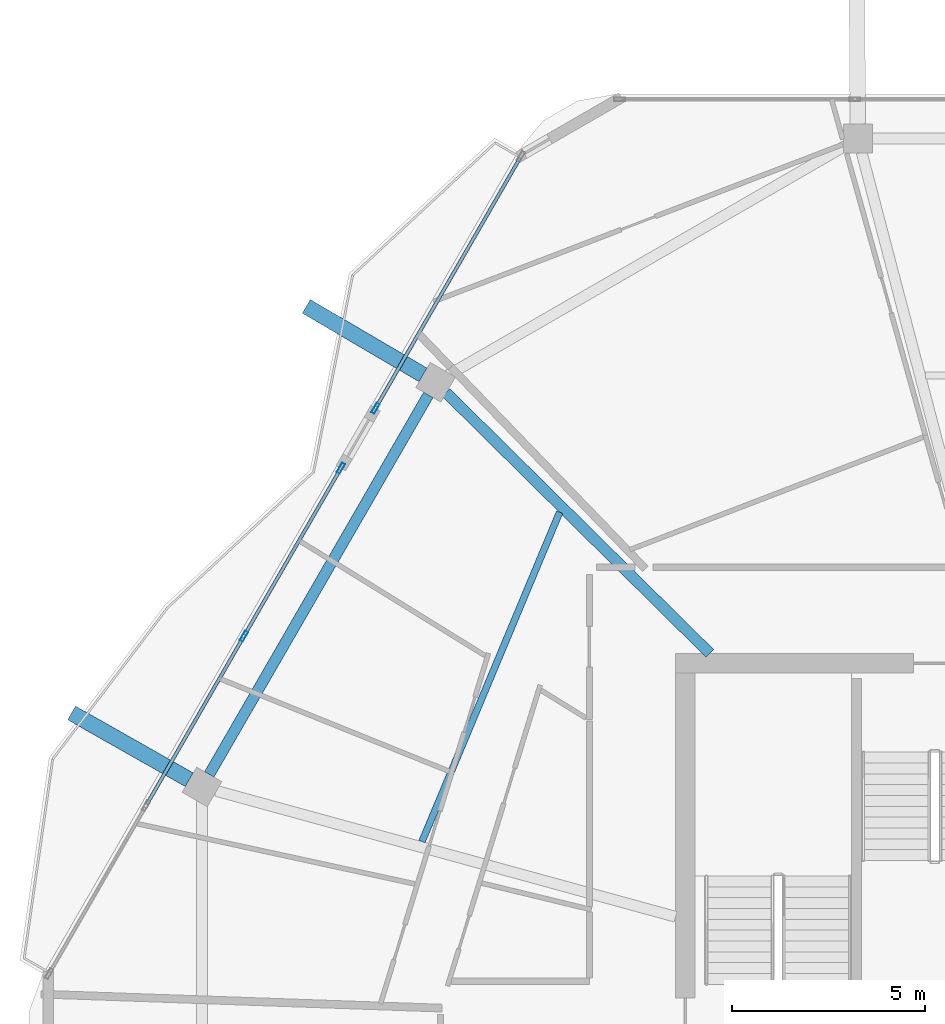
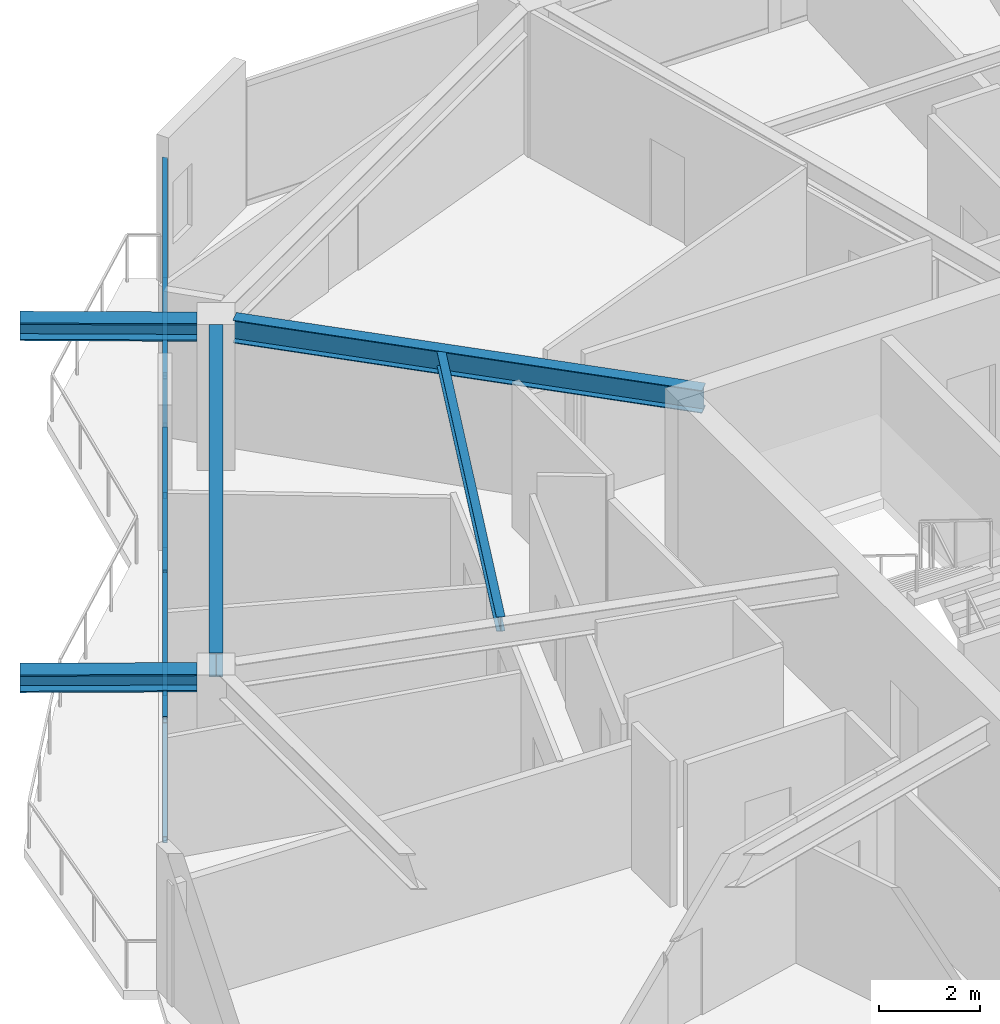
# One storey, part 8 of 23: 9 members, 5 beams, 2 elements without a shape of their own.
"""IFC4 building model written with IfcOpenShell, lengths in metres."""

from ifc_helpers import new_model, si_unit, direction, frame, origin, origin_2d, place, context, subcontext, project, spatial, hollow_rectangle, i_section, extrude, material, material_profile, profile_set, type_object, element, aggregate, save


model = new_model("IFC4")

# Units and contexts
model_context = context("Model", 3, precision=1e-05, world=origin(), true_north=direction((0.0, 1.0)))
body_context = subcontext(model_context, "Body", "Model", "MODEL_VIEW")
ifc_project = project(units=[si_unit("LENGTHUNIT", "METRE"), si_unit("AREAUNIT", "SQUARE_METRE"), si_unit("VOLUMEUNIT", "CUBIC_METRE"), si_unit("PLANEANGLEUNIT", "RADIAN"), si_unit("MASSUNIT", "GRAM", prefix="KILO")], contexts=[model_context])

# Site, building, storey
site_placement = place(None, origin())
site = spatial("IfcSite", under=ifc_project, at=site_placement, CompositionType="ELEMENT")
building_placement = place(site_placement, origin())
building = spatial("IfcBuilding", under=site, at=building_placement, Name="Zuhravey Tower", CompositionType="ELEMENT")
storey_placement = place(building_placement, frame((0.0, 0.0, 350.0)))
storey = spatial("IfcBuildingStorey", under=building, at=storey_placement, Name="L89", CompositionType="ELEMENT", Elevation=350.0)

# Curtain wall, members
ifc_material_1 = material(Name="Thermally broken anodised aluminium", Category="aluminium")
curtain_wall_type = type_object("IfcCurtainWallType", Name="Zone 3-4 High-Rise Curtain Wall CW4", PredefinedType="NOTDEFINED", material=ifc_material_1)
curtain_wall_1_placement = place(storey_placement, origin())
curtain_wall_1 = element("IfcCurtainWall", 1, at=curtain_wall_1_placement, inside=storey, type_object=curtain_wall_type, Name="L89 CW4 CW-L89-F3-1", PredefinedType="NOTDEFINED")
ifc_material_2 = material(Name="Anodised aluminium", Category="aluminium")
ifc_material_profile_1 = material_profile(ifc_material_2, hollow_rectangle(XDim=0.090087890625, YDim=0.284912109375, WallThickness=0.0048828125, at=origin_2d()), Name="ALU-RHS-90x285x5")
ifc_profile_set_1 = profile_set([ifc_material_profile_1], Name="Anodised aluminium")
member_type_1 = type_object("IfcMemberType", Name="Curtain-Wall Mullion 90x180", PredefinedType="MULLION", material=ifc_profile_set_1)
member_1_placement = place(storey_placement, frame((14.090576171875, 42.2001953125, 0.0), z_axis=(0.0, 0.0, 1.0), x_axis=(-0.866026379614, 0.49999830981, 0.0)))
member_1 = element("IfcMember", 2, at=member_1_placement, type_object=member_type_1, Name="CW4 mullion 3", PredefinedType="MULLION", context=body_context, shape_type="SweptSolid", body=[
    extrude(hollow_rectangle(XDim=0.090087890625, YDim=0.284912109375, WallThickness=0.0048828125, at=origin_2d()), origin(), (0.0, 0.0, 1.0), 2.987060546875),
])
member_2_placement = place(storey_placement, frame((16.59765625, 46.54248046875, 0.0), z_axis=(0.0, 0.0, 1.0), x_axis=(-0.866026379614, 0.49999830981, 0.0)))
member_2 = element("IfcMember", 3, at=member_2_placement, type_object=member_type_1, Name="CW4 mullion 4", PredefinedType="MULLION", context=body_context, shape_type="SweptSolid", body=[
    extrude(hollow_rectangle(XDim=0.090087890625, YDim=0.284912109375, WallThickness=0.0048828125, at=origin_2d()), origin(), (0.0, 0.0, 1.0), 2.987060546875),
])

# Curtain wall, member
curtain_wall_2_placement = place(storey_placement, origin())
curtain_wall_2 = element("IfcCurtainWall", 4, at=curtain_wall_2_placement, inside=storey, type_object=curtain_wall_type, Name="L89 CW4 CW-L89-F3-2", PredefinedType="NOTDEFINED")
member_3_placement = place(storey_placement, frame((17.49267578125, 48.0927734375, 0.0), z_axis=(0.0, 0.0, 1.0), x_axis=(-0.866021933822, 0.500006010103, 0.0)))
member_3 = element("IfcMember", 5, at=member_3_placement, type_object=member_type_1, Name="CW4 mullion 1", PredefinedType="MULLION", context=body_context, shape_type="SweptSolid", body=[
    extrude(hollow_rectangle(XDim=0.090087890625, YDim=0.284912109375, WallThickness=0.0048828125, at=origin_2d()), origin(), (0.0, 0.0, 1.0), 2.987060546875),
])

# Member
ifc_material_profile_2 = material_profile(ifc_material_2, hollow_rectangle(XDim=0.090087890625, YDim=0.14990234375, WallThickness=0.0048828125, at=origin_2d()), Name="ALU-RHS-90x150x5")
ifc_profile_set_2 = profile_set([ifc_material_profile_2], Name="Anodised aluminium")
member_type_2 = type_object("IfcMemberType", Name="Curtain-Wall Transom 90x150", PredefinedType="USERDEFINED", material=ifc_profile_set_2)
member_4_placement = place(storey_placement, frame((11.583740234375, 37.857666015625, 0.044921875), z_axis=(0.499964875472, 0.866045681991, 0.0), x_axis=(-0.866045681991, 0.499964875472, 0.0)))
member_4 = element("IfcMember", 6, at=member_4_placement, type_object=member_type_2, Name="CW4 transom 2.1", ObjectType="TRANSOM", PredefinedType="USERDEFINED", context=body_context, shape_type="SweptSolid", body=[
    extrude(hollow_rectangle(XDim=0.090087890625, YDim=0.14990234375, WallThickness=0.0048828125, at=origin_2d()), origin(), (0.0, 0.0, 1.0), 4.968994140625),
])

member_5_placement = place(storey_placement, frame((11.583740234375, 37.857666015625, 2.94189453125), z_axis=(0.499964875472, 0.866045681991, 0.0), x_axis=(-0.866045681991, 0.499964875472, 0.0)))
member_5 = element("IfcMember", 7, at=member_5_placement, type_object=member_type_2, Name="CW4 transom 2.2", ObjectType="TRANSOM", PredefinedType="USERDEFINED", context=body_context, shape_type="SweptSolid", body=[
    extrude(hollow_rectangle(XDim=0.090087890625, YDim=0.14990234375, WallThickness=0.0048828125, at=origin_2d()), origin(), (0.0, 0.0, 1.0), 4.968994140625),
])

member_6_placement = place(storey_placement, frame((14.11328125, 42.239013671875, 0.044921875), z_axis=(0.499978537859, 0.866037794603, 0.0), x_axis=(-0.866037794603, 0.499978537859, 0.0)))
member_6 = element("IfcMember", 8, at=member_6_placement, type_object=member_type_2, Name="CW4 transom 3.1", ObjectType="TRANSOM", PredefinedType="USERDEFINED", context=body_context, shape_type="SweptSolid", body=[
    extrude(hollow_rectangle(XDim=0.090087890625, YDim=0.14990234375, WallThickness=0.0048828125, at=origin_2d()), origin(), (0.0, 0.0, 1.0), 4.924072265625),
])

member_7_placement = place(storey_placement, frame((14.11328125, 42.239013671875, 2.94189453125), z_axis=(0.499978537859, 0.866037794603, 0.0), x_axis=(-0.866037794603, 0.499978537859, 0.0)))
member_7 = element("IfcMember", 9, at=member_7_placement, type_object=member_type_2, Name="CW4 transom 3.2", ObjectType="TRANSOM", PredefinedType="USERDEFINED", context=body_context, shape_type="SweptSolid", body=[
    extrude(hollow_rectangle(XDim=0.090087890625, YDim=0.14990234375, WallThickness=0.0048828125, at=origin_2d()), origin(), (0.0, 0.0, 1.0), 4.924072265625),
])

aggregate(curtain_wall_1, [member_1, member_2, member_4, member_5, member_6, member_7])

member_8_placement = place(storey_placement, frame((17.51513671875, 48.131591796875, 0.044921875), z_axis=(0.500006270961, 0.866021783213, 0.0), x_axis=(-0.866021783213, 0.500006270961, 0.0)))
member_8 = element("IfcMember", 10, at=member_8_placement, type_object=member_type_2, Name="CW4 transom 1.1", ObjectType="TRANSOM", PredefinedType="USERDEFINED", context=body_context, shape_type="SweptSolid", body=[
    extrude(hollow_rectangle(XDim=0.090087890625, YDim=0.14990234375, WallThickness=0.0048828125, at=origin_2d()), origin(), (0.0, 0.0, 1.0), 7.42138671875),
])

member_9_placement = place(storey_placement, frame((17.51513671875, 48.131591796875, 2.94189453125), z_axis=(0.500006270961, 0.866021783213, 0.0), x_axis=(-0.866021783213, 0.500006270961, 0.0)))
member_9 = element("IfcMember", 11, at=member_9_placement, type_object=member_type_2, Name="CW4 transom 1.2", ObjectType="TRANSOM", PredefinedType="USERDEFINED", context=body_context, shape_type="SweptSolid", body=[
    extrude(hollow_rectangle(XDim=0.090087890625, YDim=0.14990234375, WallThickness=0.0048828125, at=origin_2d()), origin(), (0.0, 0.0, 1.0), 7.42138671875),
])

aggregate(curtain_wall_2, [member_3, member_8, member_9])

# Beams
ifc_material_3 = material(Name="Steel SM460", Category="steel")
ifc_material_profile_3 = material_profile(ifc_material_3, i_section(OverallWidth=0.406982421875, OverallDepth=0.427978515625, WebThickness=0.02001953125, FlangeThickness=0.034912109375, at=origin_2d()), Name="H-428x407x20x35")
ifc_profile_set_3 = profile_set([ifc_material_profile_3], Name="Steel SM460")
beam_type_1 = type_object("IfcBeamType", Name="Exoskeleton Node Tie Beam H428x407", PredefinedType="BEAM", material=ifc_profile_set_3)
beam_1_placement = place(storey_placement, frame((18.718505859375, 48.95361328125, 3.200927734375), z_axis=(-0.862303768214, 0.506391361818, 0.0), x_axis=(-0.506391361818, -0.862303768214, 0.0)))
element("IfcBeam", 12, at=beam_1_placement, inside=storey, type_object=beam_type_1, Name="L89 Exoskeleton Node Tie NT1-05", PredefinedType="BEAM", context=body_context, shape_type="SweptSolid", body=[
    extrude(i_section(OverallWidth=0.406982421875, OverallDepth=0.427978515625, WebThickness=0.02001953125, FlangeThickness=0.034912109375, at=origin_2d()), origin(), (0.0, 0.0, 1.0), 3.496337890625),
])
beam_2_placement = place(storey_placement, frame((12.677001953125, 38.489501953125, 3.200927734375), z_axis=(-0.86970049877, 0.493579823776, 0.0), x_axis=(-0.493579823776, -0.86970049877, 0.0)))
element("IfcBeam", 13, at=beam_2_placement, inside=storey, type_object=beam_type_1, Name="L89 Exoskeleton Node Tie NT1-06", PredefinedType="BEAM", context=body_context, shape_type="SweptSolid", body=[
    extrude(i_section(OverallWidth=0.406982421875, OverallDepth=0.427978515625, WebThickness=0.02001953125, FlangeThickness=0.034912109375, at=origin_2d()), origin(), (0.0, 0.0, 1.0), 3.49609375),
])
ifc_material_4 = material(Name="Steel SM355", Category="steel")
ifc_material_profile_4 = material_profile(ifc_material_4, i_section(OverallWidth=0.280029296875, OverallDepth=0.580078125, WebThickness=0.011962890625, FlangeThickness=0.01904296875, at=origin_2d()), Name="H-580x280x12x19")
ifc_profile_set_4 = profile_set([ifc_material_profile_4], Name="Steel SM355")
beam_type_2 = type_object("IfcBeamType", Name="Perimeter Ring Beam H580x280", PredefinedType="BEAM", material=ifc_profile_set_4)
beam_3_placement = place(storey_placement, frame((18.856201171875, 48.434326171875, 3.22998046875), z_axis=(-0.499993743963, -0.866029015679, 0.0), x_axis=(0.866029015679, -0.499993743963, 0.0)))
element("IfcBeam", 14, at=beam_3_placement, inside=storey, type_object=beam_type_2, Name="L89 PB4 BM-L89-PB-05", PredefinedType="BEAM", context=body_context, shape_type="SweptSolid", body=[
    extrude(i_section(OverallWidth=0.280029296875, OverallDepth=0.580078125, WebThickness=0.011962890625, FlangeThickness=0.01904296875, at=origin_2d()), origin(), (0.0, 0.0, 1.0), 11.321533203125),
])
ifc_material_profile_5 = material_profile(ifc_material_4, i_section(OverallWidth=0.280029296875, OverallDepth=0.550048828125, WebThickness=0.010986328125, FlangeThickness=0.01806640625, at=origin_2d()), Name="H-550x280x11x18")
ifc_profile_set_5 = profile_set([ifc_material_profile_5], Name="Steel SM355")
beam_type_3 = type_object("IfcBeamType", Name="Radial Primary Girder H550x280", PredefinedType="BEAM", material=ifc_profile_set_5)
beam_4_placement = place(storey_placement, frame((26.134765625, 41.7529296875, 3.2451171875), z_axis=(-0.711142578304, 0.703047817238, 0.0), x_axis=(-0.703047817238, -0.711142578304, 0.0)))
element("IfcBeam", 15, at=beam_4_placement, inside=storey, type_object=beam_type_3, Name="L89 RG4 BM-L89-RAD-05", PredefinedType="BEAM", context=body_context, shape_type="SweptSolid", body=[
    extrude(i_section(OverallWidth=0.280029296875, OverallDepth=0.550048828125, WebThickness=0.010986328125, FlangeThickness=0.01806640625, at=origin_2d()), origin(), (0.0, 0.0, 1.0), 9.591064453125),
])
ifc_material_profile_6 = material_profile(ifc_material_4, i_section(OverallWidth=0.175048828125, OverallDepth=0.35009765625, WebThickness=0.007080078125, FlangeThickness=0.010986328125, at=origin_2d()), Name="H-350x175x7x11")
ifc_profile_set_6 = profile_set([ifc_material_profile_6], Name="Steel SM355")
beam_type_4 = type_object("IfcBeamType", Name="Secondary Floor Joist H350x175", PredefinedType="JOIST", material=ifc_profile_set_6)
beam_5_placement = place(storey_placement, frame((22.2509765625, 45.40478515625, 3.344970703125), z_axis=(-0.385657891576, -0.922641853953, 0.0), x_axis=(0.922641853953, -0.385657891576, 0.0)))
element("IfcBeam", 16, at=beam_5_placement, inside=storey, type_object=beam_type_4, Name="L89 SJ3 BM-L89-SJ-05-1", PredefinedType="JOIST", context=body_context, shape_type="SweptSolid", body=[
    extrude(i_section(OverallWidth=0.175048828125, OverallDepth=0.35009765625, WebThickness=0.007080078125, FlangeThickness=0.010986328125, at=origin_2d()), origin(), (0.0, 0.0, 1.0), 9.226806640625),
])

save(model, "model.ifc")
